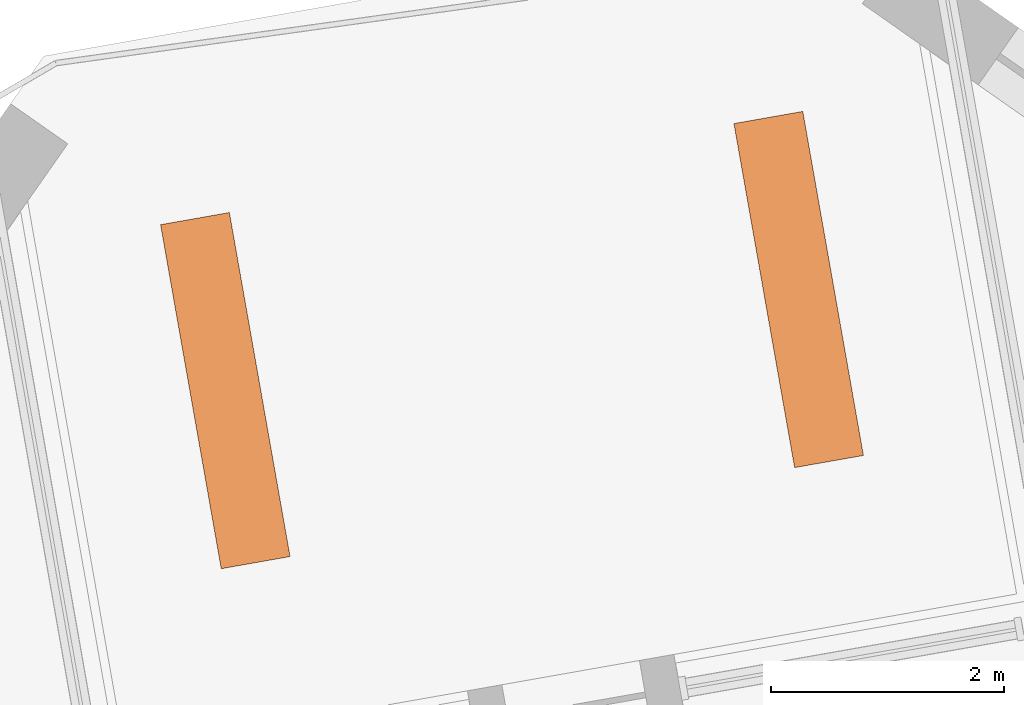
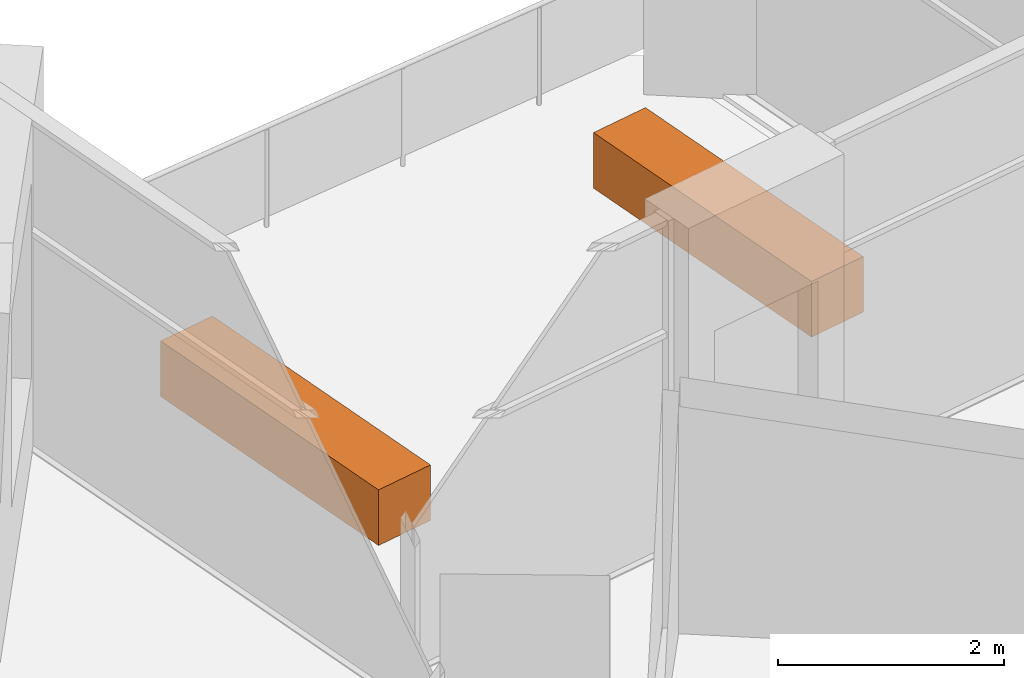
# One storey, part 13 of 13: 2 proxies.
"""IFC4 building model written with IfcOpenShell, lengths in metres."""

from ifc_helpers import new_model, si_unit, direction, frame, origin, origin_2d, place, context, subcontext, project, spatial, rectangle, extrude, element, save


model = new_model("IFC4")

# Units and contexts
model_context = context("Model", 3, precision=1e-05, world=origin(), true_north=direction((0.0, 1.0)))
body_context = subcontext(model_context, "Body", "Model", "MODEL_VIEW")
ifc_project = project(units=[si_unit("LENGTHUNIT", "METRE"), si_unit("AREAUNIT", "SQUARE_METRE"), si_unit("VOLUMEUNIT", "CUBIC_METRE"), si_unit("PLANEANGLEUNIT", "RADIAN"), si_unit("MASSUNIT", "GRAM", prefix="KILO")], contexts=[model_context])

# Site, building, storey
site_placement = place(None, origin())
site = spatial("IfcSite", under=ifc_project, at=site_placement, CompositionType="ELEMENT")
building_placement = place(site_placement, origin())
building = spatial("IfcBuilding", under=site, at=building_placement, Name="Dilmun Exchange Tower", CompositionType="ELEMENT")
storey_placement = place(building_placement, frame((0.0, 0.0, 242.89990234375)))
storey = spatial("IfcBuildingStorey", under=building, at=storey_placement, Name="L57", CompositionType="ELEMENT", Elevation=242.89990234375)

# Proxies
for number, where, z_axis, x_axis, name in (
    (1, (1.40771484375, 32.067626953125, 0.0), (0.0, 0.0, 1.0), (-0.173648177667, 0.984807753012, 0.0), "PLANTER Date palm L57.1"),
    (2, (-3.516357421875, 31.199462890625, 0.0), (0.0, 0.0, 1.0), (-0.173648177667, 0.984807753012, 0.0), "PLANTER Date palm L57.2"),
):
    element("IfcBuildingElementProxy", number, at=place(storey_placement, frame(where, z_axis=z_axis, x_axis=x_axis)), inside=storey, Name=name, ObjectType="PLANTER", PredefinedType="USERDEFINED", context=body_context, shape_type="SweptSolid", body=[
        extrude(rectangle(XDim=3.0, YDim=0.60009765625, at=origin_2d()), origin(), (0.0, 0.0, 1.0), 0.60009765625),
    ])

save(model, "model.ifc")
